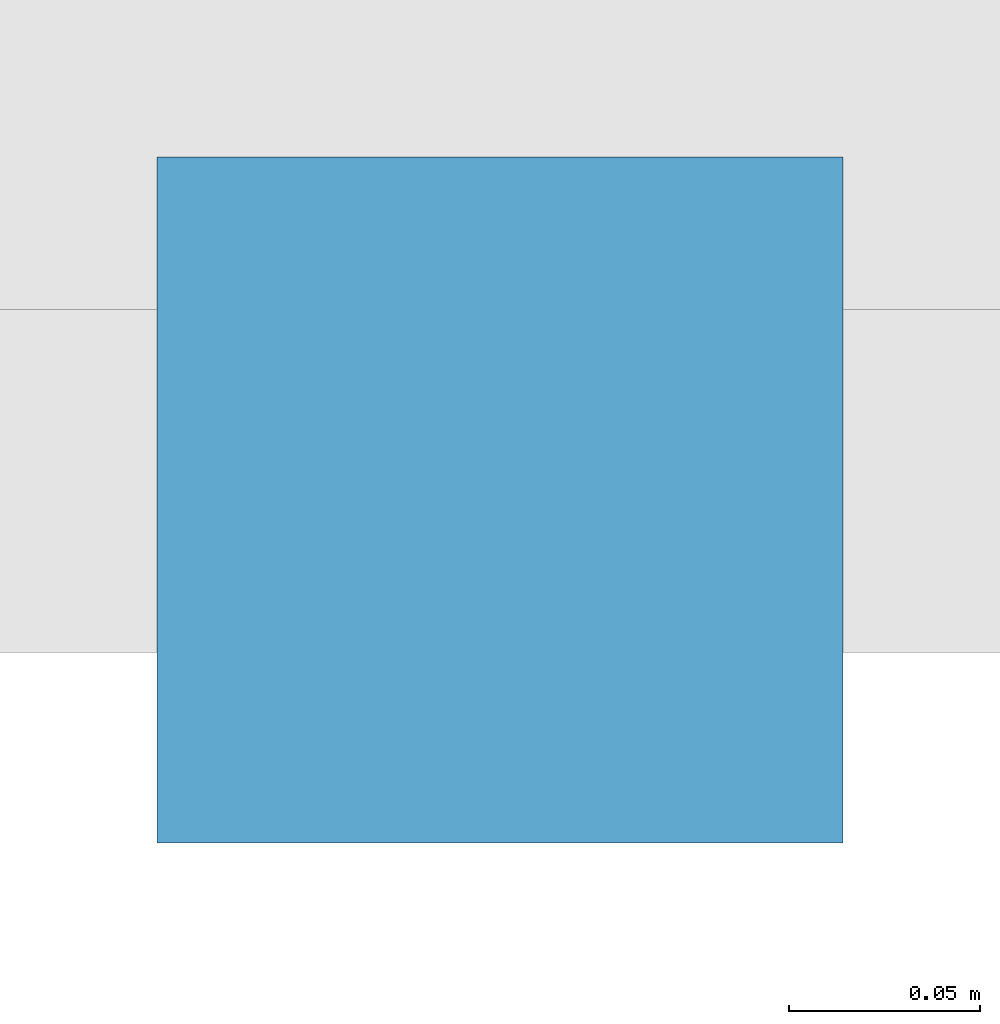
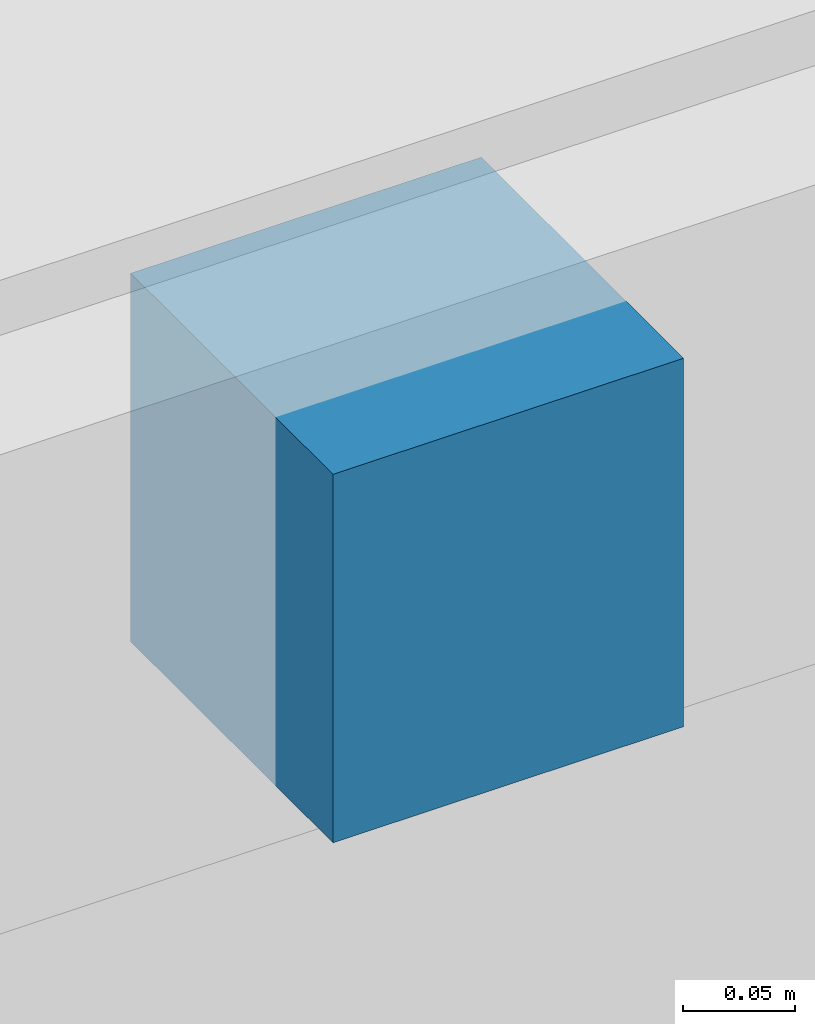
# One storey, part 24 of 34: 1 discrete accessory.
"""IFC4 building model written with IfcOpenShell, lengths in metres."""

from ifc_helpers import new_model, si_unit, derived_unit, direction, frame, origin, origin_2d, place, context, subcontext, project, spatial, rectangle, extrude, source, transform, mapped, material, type_object, element, save


model = new_model("IFC4")

# Units and contexts
model_context = context("Model", 3, precision=1e-05, world=origin(), true_north=direction((0.0, 1.0)))
body_context = subcontext(model_context, "Body", "Model", "MODEL_VIEW")
ifc_project = project(units=[si_unit("LENGTHUNIT", "METRE"), si_unit("AREAUNIT", "SQUARE_METRE"), si_unit("VOLUMEUNIT", "CUBIC_METRE"), si_unit("PLANEANGLEUNIT", "RADIAN"), si_unit("MASSUNIT", "GRAM", prefix="KILO"), derived_unit("THERMALTRANSMITTANCEUNIT", [(si_unit("POWERUNIT", "WATT"), 1), (si_unit("LENGTHUNIT", "METRE"), -2), (si_unit("THERMODYNAMICTEMPERATUREUNIT", "KELVIN"), -1)])], contexts=[model_context])

# Site, building, storey
site_placement = place(None, origin())
site = spatial("IfcSite", under=ifc_project, at=site_placement, CompositionType="ELEMENT")
building_placement = place(site_placement, origin())
building = spatial("IfcBuilding", under=site, at=building_placement, Name="Korsvarv Bourse and Concert Hall", CompositionType="ELEMENT")
storey_placement = place(building_placement, frame((0.0, 0.0, 14.39990234375)))
storey = spatial("IfcBuildingStorey", under=building, at=storey_placement, Name="L03", CompositionType="ELEMENT", Elevation=14.39990234375)

# Discrete accessory
ifc_material = material(Name="Stainless Steel S355 facade outrigger bracket", Category="steel")
discrete_accessory_type = type_object("IfcDiscreteAccessoryType", Name="ACC-BRK-1", PredefinedType="BRACKET", material=ifc_material)
shared_shape = source(origin(), body_context, "Body", "SweptSolid", [
    extrude(rectangle(XDim=0.179931640625, YDim=0.179931640625, at=origin_2d()), origin(), (0.0, 0.0, 1.0), 0.199951171875),
])
discrete_accessory_placement = place(storey_placement, frame((62.25244140625, 2.800048828125, 3.56005859375), z_axis=(0.0, 0.0, 1.0), x_axis=(1.0, 0.0, 0.0)))
element("IfcDiscreteAccessory", 1, at=discrete_accessory_placement, inside=storey, type_object=discrete_accessory_type, Name="L03 terracotta sunshade bracket EW-L03-S6", PredefinedType="BRACKET", context=body_context, shape_type="MappedRepresentation", body=[
    mapped(shared_shape, transform((0.0, 0.0, 0.0), scale=1.0)),
])

save(model, "model.ifc")
